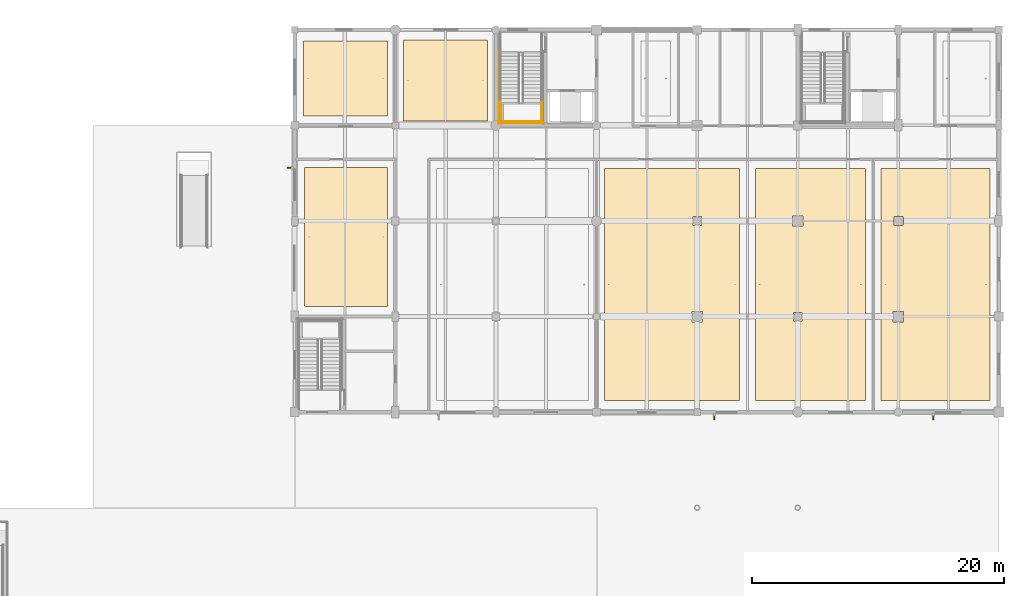
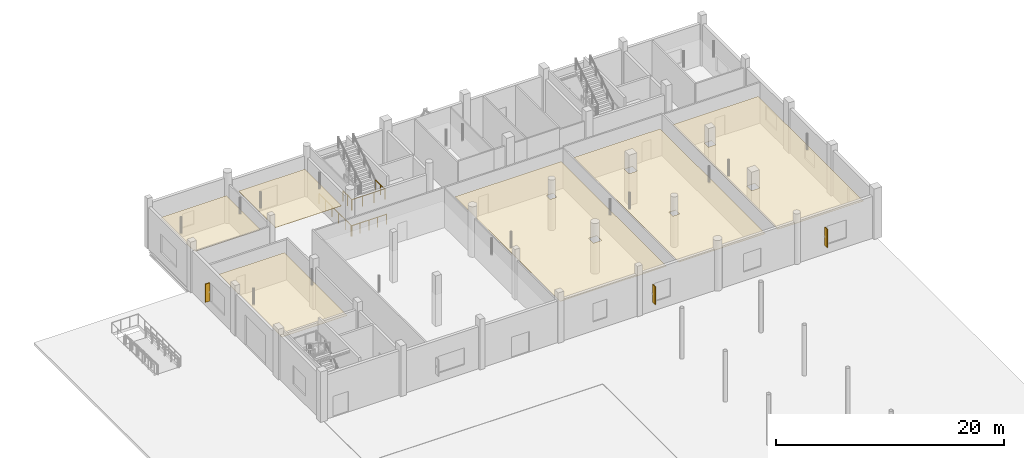
# One storey, part 124 of 126: 6 coverings, 5 railings, 3 shading devices.
"""IFC4 building model written with IfcOpenShell, lengths in metres."""

from ifc_helpers import new_model, si_unit, direction, frame, origin, origin_2d, place, context, subcontext, project, spatial, polyline, rectangle, circle, outline, extrude, material, layer, layer_set, type_object, element, save


model = new_model("IFC4")

# Units and contexts
model_context = context("Model", 3, precision=1e-05, world=origin(), true_north=direction((0.0, 1.0)))
body_context = subcontext(model_context, "Body", "Model", "MODEL_VIEW")
ifc_project = project(units=[si_unit("LENGTHUNIT", "METRE"), si_unit("AREAUNIT", "SQUARE_METRE"), si_unit("VOLUMEUNIT", "CUBIC_METRE"), si_unit("PLANEANGLEUNIT", "RADIAN"), si_unit("MASSUNIT", "GRAM", prefix="KILO")], contexts=[model_context])

# Site, building, storey
site_placement = place(None, origin())
site = spatial("IfcSite", under=ifc_project, at=site_placement, CompositionType="ELEMENT")
building_placement = place(site_placement, origin())
building = spatial("IfcBuilding", under=site, at=building_placement, Name="Khelvaren Railside Concert Hall", CompositionType="ELEMENT")
storey_placement = place(building_placement, origin())
storey = spatial("IfcBuildingStorey", under=building, at=storey_placement, Name="L00", CompositionType="ELEMENT", Elevation=0.0)

# Coverings
ifc_material_1 = material(Name="Mineral-wool acoustic baffle ceiling", Category="gypsum")
ifc_layer_1 = layer(ifc_material_1, 0.0400390625)
ifc_layer_set_1 = layer_set([ifc_layer_1], Name="Mineral-wool acoustic baffle ceiling")
covering_type_1 = type_object("IfcCoveringType", Name="CLG20", PredefinedType="CEILING", material=ifc_layer_set_1)
covering_1_placement = place(storey_placement, frame((0.0, 0.0, 3.409912109375)))
element("IfcCovering", 1, at=covering_1_placement, inside=storey, type_object=covering_type_1, Name="Suspended Acoustic Ceiling Conductor Hospitality Suite", PredefinedType="CEILING", context=body_context, shape_type="SweptSolid", body=[
    extrude(outline(polyline([(164.6298828125, 84.530029296875), (173.3701171875, 84.530029296875), (173.3701171875, 102.969970703125), (164.6298828125, 102.969970703125), (164.6298828125, 84.530029296875)]), holes=[polyline([(167.659912109375, 90.860107421875), (168.340087890625, 90.860107421875), (168.340087890625, 91.5400390625), (167.659912109375, 91.5400390625), (167.659912109375, 90.860107421875)]), polyline([(167.5849609375, 98.385009765625), (168.4150390625, 98.385009765625), (168.4150390625, 99.215087890625), (167.5849609375, 99.215087890625), (167.5849609375, 98.385009765625)])]), origin(), (0.0, 0.0, 1.0), 0.0400390625),
])
covering_2_placement = place(storey_placement, frame((0.0, 0.0, 3.409912109375)))
element("IfcCovering", 2, at=covering_2_placement, inside=storey, type_object=covering_type_1, Name="Suspended Acoustic Ceiling V5 L00 Boulevard Entrance Foyer", PredefinedType="CEILING", context=body_context, shape_type="SweptSolid", body=[
    extrude(outline(polyline([(136.669921875, 106.75), (143.330078125, 106.75), (143.330078125, 113.199951171875), (136.669921875, 113.199951171875), (136.669921875, 106.75)])), origin(), (0.0, 0.0, 1.0), 0.0400390625),
])
ifc_material_2 = material(Name="Micro-perforated timber acoustic ceiling", Category="wood")
ifc_layer_2 = layer(ifc_material_2, 0.030029296875)
ifc_layer_set_2 = layer_set([ifc_layer_2], Name="Micro-perforated timber acoustic ceiling")
covering_type_2 = type_object("IfcCoveringType", Name="CLG77", PredefinedType="CEILING", material=ifc_layer_set_2)
covering_3_placement = place(storey_placement, frame((0.0, 0.0, 3.419921875)))
element("IfcCovering", 3, at=covering_3_placement, inside=storey, type_object=covering_type_2, Name="Suspended Acoustic Ceiling Stage Servicing and Loading Bay", PredefinedType="CEILING", context=body_context, shape_type="SweptSolid", body=[
    extrude(outline(polyline([(128.800048828125, 92.0), (135.39990234375, 92.0), (135.39990234375, 103.050048828125), (128.800048828125, 103.050048828125), (128.800048828125, 92.0)])), origin(), (0.0, 0.0, 1.0), 0.030029296875),
])
covering_4_placement = place(storey_placement, frame((0.0, 0.0, 3.419921875)))
element("IfcCovering", 4, at=covering_4_placement, inside=storey, type_object=covering_type_2, Name="Suspended Acoustic Ceiling Artists Green Room and Canteen", PredefinedType="CEILING", context=body_context, shape_type="SweptSolid", body=[
    extrude(outline(polyline([(152.6298828125, 84.530029296875), (163.3701171875, 84.530029296875), (163.3701171875, 102.969970703125), (152.6298828125, 102.969970703125), (152.6298828125, 84.530029296875)]), holes=[polyline([(159.5849609375, 90.784912109375), (160.4150390625, 90.784912109375), (160.4150390625, 91.614990234375), (159.5849609375, 91.614990234375), (159.5849609375, 90.784912109375)]), polyline([(159.659912109375, 98.4599609375), (160.340087890625, 98.4599609375), (160.340087890625, 99.139892578125), (159.659912109375, 99.139892578125), (159.659912109375, 98.4599609375)])]), origin(), (0.0, 0.0, 1.0), 0.030029296875),
])
covering_5_placement = place(storey_placement, frame((0.0, 0.0, 3.419921875)))
element("IfcCovering", 5, at=covering_5_placement, inside=storey, type_object=covering_type_2, Name="Suspended Acoustic Ceiling Principal Soloist Dressing Suite 1", PredefinedType="CEILING", context=body_context, shape_type="SweptSolid", body=[
    extrude(outline(polyline([(174.6298828125, 84.530029296875), (183.2900390625, 84.530029296875), (183.2900390625, 102.969970703125), (174.6298828125, 102.969970703125), (174.6298828125, 84.530029296875)]), holes=[polyline([(175.5849609375, 90.784912109375), (176.4150390625, 90.784912109375), (176.4150390625, 91.614990234375), (175.5849609375, 91.614990234375), (175.5849609375, 90.784912109375)]), polyline([(175.635009765625, 98.43505859375), (176.364990234375, 98.43505859375), (176.364990234375, 99.1650390625), (175.635009765625, 99.1650390625), (175.635009765625, 98.43505859375)])]), origin(), (0.0, 0.0, 1.0), 0.030029296875),
])
covering_6_placement = place(storey_placement, frame((0.0, 0.0, 3.419921875)))
element("IfcCovering", 6, at=covering_6_placement, inside=storey, type_object=covering_type_2, Name="Suspended Acoustic Ceiling Stage-Door Security and Reception Office", PredefinedType="CEILING", context=body_context, shape_type="SweptSolid", body=[
    extrude(outline(polyline([(128.7099609375, 107.1298828125), (135.3701171875, 107.1298828125), (135.3701171875, 113.1201171875), (128.7099609375, 113.1201171875), (128.7099609375, 107.1298828125)])), origin(), (0.0, 0.0, 1.0), 0.030029296875),
])

# Railings
ifc_material_3 = material(Name="Painted architectural steel", Category="steel")
railing_type = type_object("IfcRailingType", Name="GRD86", PredefinedType="GUARDRAIL", material=ifc_material_3)
for number, where, name in (
    (7, (144.35009765625, 108.239990234375, 2.699951171875), "L00 ST-09 stair guard 3"),
    (8, (147.64990234375, 108.239990234375, 2.699951171875), "L00 ST-09 stair guard 4"),
):
    element("IfcRailing", number, at=place(storey_placement, frame(where)), inside=storey, type_object=railing_type, Name=name, PredefinedType="GUARDRAIL", context=body_context, shape_type="SweptSolid", body=[
        extrude(circle(Radius=0.02392578125, at=origin_2d()), frame((0.0, 0.0, 1.076171875), z_axis=(0.0, -1.0, 0.0), x_axis=(1.0, 0.0, 0.0)), (0.0, 0.0, 1.0), 1.60009765625),
        extrude(circle(Radius=0.02099609375, at=origin_2d()), origin(), (0.0, 0.0, 1.0), 1.052001953125),
        extrude(circle(Radius=0.02099609375, at=origin_2d()), frame((0.0, -0.800048828125, 0.0)), (0.0, 0.0, 1.0), 1.052001953125),
        extrude(circle(Radius=0.02099609375, at=origin_2d()), frame((0.0, -1.60009765625, 0.0)), (0.0, 0.0, 1.0), 1.052001953125),
    ])
railing_1_placement = place(storey_placement, frame((144.300048828125, 106.68994140625, 2.699951171875)))
element("IfcRailing", 9, at=railing_1_placement, inside=storey, type_object=railing_type, Name="L00 ST-09 stair guard 5", PredefinedType="GUARDRAIL", context=body_context, shape_type="SweptSolid", body=[
    extrude(circle(Radius=0.02392578125, at=origin_2d()), frame((0.0, 0.0, 1.076171875), z_axis=(1.0, 0.0, 0.0), x_axis=(0.0, 1.0, 0.0)), (0.0, 0.0, 1.0), 3.39990234375),
    extrude(circle(Radius=0.02099609375, at=origin_2d()), origin(), (0.0, 0.0, 1.0), 1.052001953125),
    extrude(circle(Radius=0.02099609375, at=origin_2d()), frame((1.13330078125, 0.0, 0.0)), (0.0, 0.0, 1.0), 1.052001953125),
    extrude(circle(Radius=0.02099609375, at=origin_2d()), frame((2.2666015625, 0.0, 0.0)), (0.0, 0.0, 1.0), 1.052001953125),
    extrude(circle(Radius=0.02099609375, at=origin_2d()), frame((3.39990234375, 0.0, 0.0)), (0.0, 0.0, 1.0), 1.052001953125),
])
railing_2_placement = place(storey_placement, frame((144.25, 112.260009765625, 0.0)))
element("IfcRailing", 10, at=railing_2_placement, inside=storey, type_object=railing_type, Name="L00 ST-09 stair guard 10", PredefinedType="GUARDRAIL", context=body_context, shape_type="SweptSolid", body=[
    extrude(circle(Radius=0.02392578125, at=origin_2d()), frame((0.0, 0.0, 1.076171875), z_axis=(0.0, -1.0, 0.0), x_axis=(1.0, 0.0, 0.0)), (0.0, 0.0, 1.0), 5.719970703125),
    extrude(circle(Radius=0.02099609375, at=origin_2d()), origin(), (0.0, 0.0, 1.0), 1.052001953125),
    extrude(circle(Radius=0.02099609375, at=origin_2d()), frame((0.0, -1.14404296875, 0.0)), (0.0, 0.0, 1.0), 1.052001953125),
    extrude(circle(Radius=0.02099609375, at=origin_2d()), frame((0.0, -2.2880859375, 0.0)), (0.0, 0.0, 1.0), 1.052001953125),
    extrude(circle(Radius=0.02099609375, at=origin_2d()), frame((0.0, -3.431884765625, 0.0)), (0.0, 0.0, 1.0), 1.052001953125),
    extrude(circle(Radius=0.02099609375, at=origin_2d()), frame((0.0, -4.575927734375, 0.0)), (0.0, 0.0, 1.0), 1.052001953125),
    extrude(circle(Radius=0.02099609375, at=origin_2d()), frame((0.0, -5.719970703125, 0.0)), (0.0, 0.0, 1.0), 1.052001953125),
])
railing_3_placement = place(storey_placement, frame((144.199951171875, 106.590087890625, 0.0)))
element("IfcRailing", 11, at=railing_3_placement, inside=storey, type_object=railing_type, Name="L00 ST-09 stair guard 12", PredefinedType="GUARDRAIL", context=body_context, shape_type="SweptSolid", body=[
    extrude(circle(Radius=0.02392578125, at=origin_2d()), frame((0.0, 0.0, 1.076171875), z_axis=(1.0, 0.0, 0.0), x_axis=(0.0, 1.0, 0.0)), (0.0, 0.0, 1.0), 3.60009765625),
    extrude(circle(Radius=0.02099609375, at=origin_2d()), origin(), (0.0, 0.0, 1.0), 1.052001953125),
    extrude(circle(Radius=0.02099609375, at=origin_2d()), frame((0.89990234375, 0.0, 0.0)), (0.0, 0.0, 1.0), 1.052001953125),
    extrude(circle(Radius=0.02099609375, at=origin_2d()), frame((1.800048828125, 0.0, 0.0)), (0.0, 0.0, 1.0), 1.052001953125),
    extrude(circle(Radius=0.02099609375, at=origin_2d()), frame((2.7001953125, 0.0, 0.0)), (0.0, 0.0, 1.0), 1.052001953125),
    extrude(circle(Radius=0.02099609375, at=origin_2d()), frame((3.60009765625, 0.0, 0.0)), (0.0, 0.0, 1.0), 1.052001953125),
])

# Shading devices
ifc_material_4 = material(Name="Anodised bronze aluminium 6063-T6", Category="aluminium")
shading_device_type = type_object("IfcShadingDeviceType", Name="SFN18", PredefinedType="USERDEFINED", material=ifc_material_4)
for number, where, z_axis, x_axis, name in (
    (12, (161.3701171875, 83.22998046875, 0.9501953125), (0.0, 0.0, 1.0), (-1.0, 0.0, 0.0), "Bronze Solar Shading Fin EW-V5-L00-S-160"),
    (13, (178.782470703125, 83.22998046875, 0.9501953125), (0.0, 0.0, 1.0), (-1.0, 0.0, 0.0), "Bronze Solar Shading Fin EW-V5-L00-S-176"),
    (14, (127.6298828125, 103.04248046875, 0.9501953125), (0.0, 0.0, 1.0), (0.0, 1.0, 0.0), "Bronze Solar Shading Fin EW-V5-L00-W-99"),
):
    element("IfcShadingDevice", number, at=place(storey_placement, frame(where, z_axis=z_axis, x_axis=x_axis)), inside=storey, type_object=shading_device_type, Name=name, ObjectType="SOLAR FIN", PredefinedType="USERDEFINED", context=body_context, shape_type="SweptSolid", body=[
        extrude(rectangle(XDim=0.080078125, YDim=0.449951171875, at=origin_2d()), origin(), (0.0, 0.0, 1.0), 1.949951171875),
    ])

save(model, "model.ifc")
